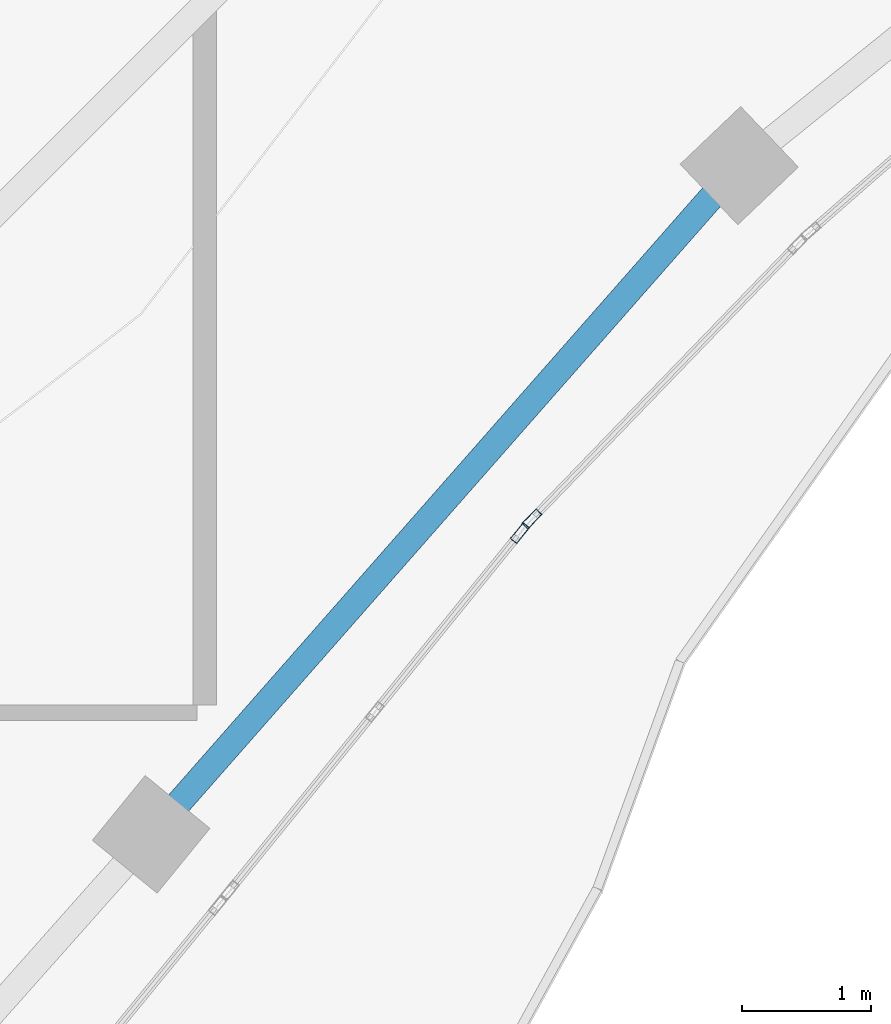
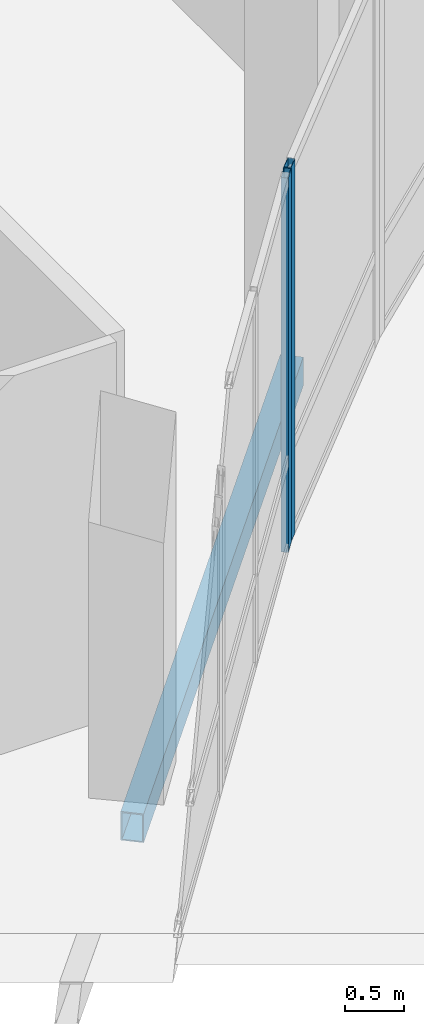
# One storey, part 54 of 184: 2 members, 1 beam, 2 elements without a shape of their own.
"""IFC4 building model written with IfcOpenShell, lengths in metres."""

from ifc_helpers import new_model, si_unit, direction, frame, origin, origin_2d, place, context, subcontext, project, spatial, hollow_rectangle, extrude, material, material_profile, profile_set, type_object, element, aggregate, save


model = new_model("IFC4")

# Units and contexts
model_context = context("Model", 3, precision=1e-05, world=origin(), true_north=direction((0.0, 1.0)))
body_context = subcontext(model_context, "Body", "Model", "MODEL_VIEW")
ifc_project = project(units=[si_unit("LENGTHUNIT", "METRE"), si_unit("AREAUNIT", "SQUARE_METRE"), si_unit("VOLUMEUNIT", "CUBIC_METRE"), si_unit("PLANEANGLEUNIT", "RADIAN"), si_unit("MASSUNIT", "GRAM", prefix="KILO")], contexts=[model_context])

# Site, building, storey
site_placement = place(None, origin())
site = spatial("IfcSite", under=ifc_project, at=site_placement, CompositionType="ELEMENT")
building_placement = place(site_placement, origin())
building = spatial("IfcBuilding", under=site, at=building_placement, Name="Selatvlak General Hospital", CompositionType="ELEMENT")
storey_placement = place(building_placement, frame((0.0, 0.0, 15.0)))
storey = spatial("IfcBuildingStorey", under=building, at=storey_placement, Name="L03", CompositionType="ELEMENT", Elevation=15.0)

# Beam
ifc_material_1 = material(Name="Steel S355", Category="steel")
ifc_material_profile_1 = material_profile(ifc_material_1, hollow_rectangle(XDim=0.199951171875, YDim=0.300048828125, WallThickness=0.011962890625, at=origin_2d()), Name="RHS 300x200x12")
ifc_profile_set_1 = profile_set([ifc_material_profile_1], Name="Steel S355")
beam_type = type_object("IfcBeamType", Name="BM-SP3", PredefinedType="SPANDREL", material=ifc_profile_set_1)
beam_placement = place(storey_placement, frame((109.04296875, 38.992919921875, -0.489990234375), z_axis=(0.660377453115, 0.750933831584, 0.0), x_axis=(-0.750933831584, 0.660377453115, 0.0)))
element("IfcBeam", 1, at=beam_placement, inside=storey, type_object=beam_type, Name="Beam BMR-L03-1499", PredefinedType="SPANDREL", context=body_context, shape_type="SweptSolid", body=[
    extrude(hollow_rectangle(XDim=0.199951171875, YDim=0.300048828125, WallThickness=0.011962890625, at=origin_2d()), origin(), (0.0, 0.0, 1.0), 6.92333984375),
])

# Curtain wall, member
ifc_material_2 = material(Name="Solar-control Low-E double glazing", Category="glass")
curtain_wall_type_1 = type_object("IfcCurtainWallType", Name="CW-CW-02", PredefinedType="USERDEFINED", material=ifc_material_2)
curtain_wall_1_placement = place(storey_placement, origin())
curtain_wall_1 = element("IfcCurtainWall", 2, at=curtain_wall_1_placement, inside=storey, type_object=curtain_wall_type_1, Name="Glazed facade curtain wall CW-L03-0414", ObjectType="UNITISED CURTAIN WALL", PredefinedType="USERDEFINED")
ifc_material_3 = material(Name="Dark anodised aluminium mullion", Category="aluminium")
ifc_material_profile_2 = material_profile(ifc_material_3, hollow_rectangle(XDim=0.06494140625, YDim=0.159912109375, WallThickness=0.00390625, at=origin_2d()), Name="AL-MUL 65x160x4")
ifc_profile_set_2 = profile_set([ifc_material_profile_2], Name="Dark anodised aluminium mullion")
member_type = type_object("IfcMemberType", Name="CWM-01", PredefinedType="MULLION", material=ifc_profile_set_2)
member_1_placement = place(storey_placement, frame((112.003662109375, 41.4453125, 0.0), z_axis=(0.0, 0.0, 1.0), x_axis=(0.719196973261, -0.694806241805, 0.0)))
member_1 = element("IfcMember", 3, at=member_1_placement, type_object=member_type, Name="CW-02 mullion 2", PredefinedType="MULLION", context=body_context, shape_type="SweptSolid", body=[
    extrude(hollow_rectangle(XDim=0.06494140625, YDim=0.159912109375, WallThickness=0.00390625, at=origin_2d()), origin(), (0.0, 0.0, 1.0), 3.89501953125),
])
aggregate(curtain_wall_1, [member_1])

curtain_wall_type_2 = type_object("IfcCurtainWallType", Name="CW-CW-01", PredefinedType="USERDEFINED", material=ifc_material_2)
curtain_wall_2_placement = place(storey_placement, origin())
curtain_wall_2 = element("IfcCurtainWall", 4, at=curtain_wall_2_placement, inside=storey, type_object=curtain_wall_type_2, Name="Glazed facade curtain wall CW-L03-0415", ObjectType="UNITISED CURTAIN WALL", PredefinedType="USERDEFINED")
member_2_placement = place(storey_placement, frame((111.909423828125, 41.334716796875, 0.0), z_axis=(0.0, 0.0, 1.0), x_axis=(0.776323804924, -0.630334315986, 0.0)))
member_2 = element("IfcMember", 5, at=member_2_placement, type_object=member_type, Name="CW-01 mullion 1", PredefinedType="MULLION", context=body_context, shape_type="SweptSolid", body=[
    extrude(hollow_rectangle(XDim=0.06494140625, YDim=0.159912109375, WallThickness=0.00390625, at=origin_2d()), origin(), (0.0, 0.0, 1.0), 3.89501953125),
])
aggregate(curtain_wall_2, [member_2])

save(model, "model.ifc")
